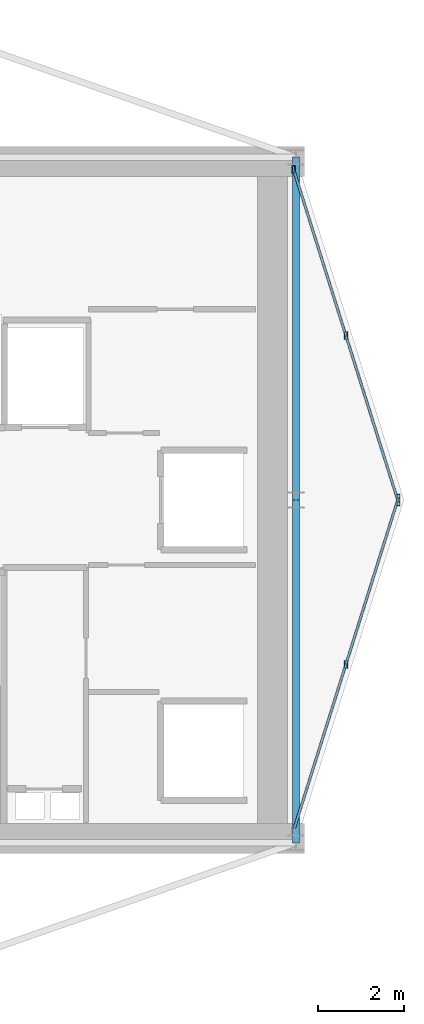
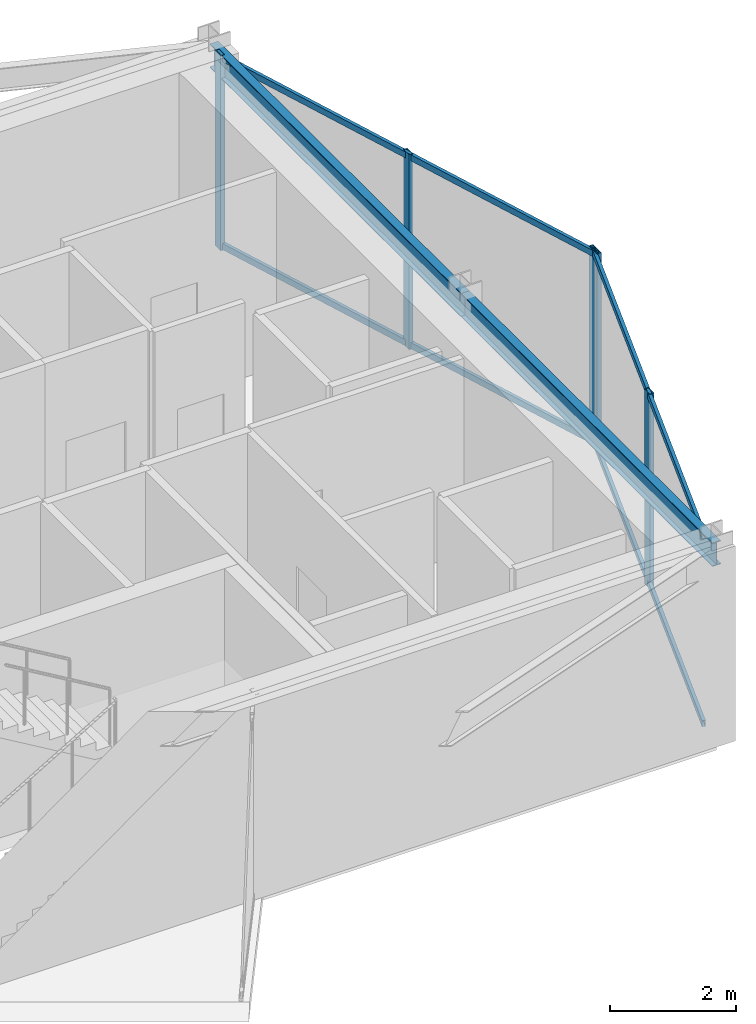
# One storey, part 15 of 22: 9 members, 2 beams, 2 elements without a shape of their own.
"""IFC4 building model written with IfcOpenShell, lengths in metres."""

from ifc_helpers import new_model, si_unit, direction, frame, origin, origin_2d, place, context, subcontext, project, spatial, hollow_rectangle, i_section, extrude, material, layer, layer_set, material_profile, profile_set, type_object, element, aggregate, save


model = new_model("IFC4")

# Units and contexts
model_context = context("Model", 3, precision=1e-05, world=origin(), true_north=direction((0.0, 1.0)))
body_context = subcontext(model_context, "Body", "Model", "MODEL_VIEW")
ifc_project = project(units=[si_unit("LENGTHUNIT", "METRE"), si_unit("AREAUNIT", "SQUARE_METRE"), si_unit("VOLUMEUNIT", "CUBIC_METRE"), si_unit("PLANEANGLEUNIT", "RADIAN"), si_unit("MASSUNIT", "GRAM", prefix="KILO")], contexts=[model_context])

# Site, building, storey
site_placement = place(None, origin())
site = spatial("IfcSite", under=ifc_project, at=site_placement, CompositionType="ELEMENT")
building_placement = place(site_placement, origin())
building = spatial("IfcBuilding", under=site, at=building_placement, Name="Veymaron Broadcast Tower", CompositionType="ELEMENT")
storey_placement = place(building_placement, frame((0.0, 0.0, 208.050048828125)))
storey = spatial("IfcBuildingStorey", under=building, at=storey_placement, Name="L48", CompositionType="ELEMENT", Elevation=208.050048828125)

# Beams
ifc_material_1 = material(Name="Structural steel ASTM A992 Gr 50", Category="steel")
ifc_material_profile_1 = material_profile(ifc_material_1, i_section(OverallWidth=0.154052734375, OverallDepth=0.458984375, WebThickness=0.009033203125, FlangeThickness=0.015380859375, at=origin_2d()), Name="W460X68")
ifc_profile_set_1 = profile_set([ifc_material_profile_1], Name="Structural steel ASTM A992 Gr 50")
beam_type = type_object("IfcBeamType", Name="BM-SP2", PredefinedType="SPANDREL", material=ifc_profile_set_1)
for number, where, z_axis, x_axis, name in (
    (1, (54.60009765625, 16.0, 3.560546875), (0.0, 1.0, 0.0), (-1.0, 0.0, 0.0), "L48 primary structural floor girder"),
    (2, (54.60009765625, 24.0, 3.560546875), (0.0, 1.0, 0.0), (-1.0, 0.0, 0.0), "L48 primary structural floor girder"),
):
    element("IfcBeam", number, at=place(storey_placement, frame(where, z_axis=z_axis, x_axis=x_axis)), inside=storey, type_object=beam_type, Name=name, PredefinedType="SPANDREL", context=body_context, shape_type="SweptSolid", body=[
        extrude(i_section(OverallWidth=0.154052734375, OverallDepth=0.458984375, WebThickness=0.009033203125, FlangeThickness=0.015380859375, at=origin_2d()), origin(), (0.0, 0.0, 1.0), 8.0),
    ])

# Curtain wall, members
ifc_material_2 = material(Name="Anodised aluminium AA 6063-T6 and laminated low-E dark glass", Category="aluminium")
ifc_layer = layer(ifc_material_2, 0.179931640625)
ifc_layer_set = layer_set([ifc_layer], Name="Anodised aluminium AA 6063-T6 and laminated low-E dark glass")
curtain_wall_type = type_object("IfcCurtainWallType", Name="CW-SYS-05", PredefinedType="NOTDEFINED", material=ifc_layer_set)
curtain_wall_1_placement = place(storey_placement, origin())
curtain_wall_1 = element("IfcCurtainWall", 3, at=curtain_wall_1_placement, inside=storey, type_object=curtain_wall_type, Name="L48 dark-glass curtain wall CW-L48-E2-1", PredefinedType="NOTDEFINED")
ifc_material_3 = material(Name="Anodised aluminium AA 6063-T6", Category="aluminium")
ifc_material_profile_2 = material_profile(ifc_material_3, hollow_rectangle(XDim=0.074951171875, YDim=0.179931640625, WallThickness=0.0048828125, at=origin_2d()), Name="AL180X75X5")
ifc_profile_set_2 = profile_set([ifc_material_profile_2], Name="Anodised aluminium AA 6063-T6")
member_type_1 = type_object("IfcMemberType", Name="CW-MUL-02", PredefinedType="MULLION", material=ifc_profile_set_2)
member_1_placement = place(storey_placement, frame((55.764892578125, 20.164306640625, 0.0), z_axis=(0.0, 0.0, 1.0), x_axis=(1.0, 0.0, 0.0)))
member_1 = element("IfcMember", 4, at=member_1_placement, type_object=member_type_1, Name="CW-L48-E2-1 mullion 1", PredefinedType="MULLION", context=body_context, shape_type="SweptSolid", body=[
    extrude(hollow_rectangle(XDim=0.074951171875, YDim=0.179931640625, WallThickness=0.0048828125, at=origin_2d()), origin(), (0.0, 0.0, 1.0), 3.7900390625),
])
member_2_placement = place(storey_placement, frame((56.986572265625, 24.0419921875, 0.0), z_axis=(0.0, 0.0, 1.0), x_axis=(1.0, 0.0, 0.0)))
member_2 = element("IfcMember", 5, at=member_2_placement, type_object=member_type_1, Name="CW-L48-E2-1 mullion 2", PredefinedType="MULLION", context=body_context, shape_type="SweptSolid", body=[
    extrude(hollow_rectangle(XDim=0.074951171875, YDim=0.179931640625, WallThickness=0.0048828125, at=origin_2d()), origin(), (0.0, 0.0, 1.0), 3.7900390625),
])

curtain_wall_2_placement = place(storey_placement, origin())
curtain_wall_2 = element("IfcCurtainWall", 6, at=curtain_wall_2_placement, inside=storey, type_object=curtain_wall_type, Name="L48 dark-glass curtain wall CW-L48-E3-1", PredefinedType="NOTDEFINED")
member_3_placement = place(storey_placement, frame((56.986572265625, 23.9580078125, 0.0), z_axis=(0.0, 0.0, 1.0), x_axis=(1.0, 0.0, 0.0)))
member_3 = element("IfcMember", 7, at=member_3_placement, type_object=member_type_1, Name="CW-L48-E3-1 mullion 0", PredefinedType="MULLION", context=body_context, shape_type="SweptSolid", body=[
    extrude(hollow_rectangle(XDim=0.074951171875, YDim=0.179931640625, WallThickness=0.0048828125, at=origin_2d()), origin(), (0.0, 0.0, 1.0), 3.7900390625),
])
member_4_placement = place(storey_placement, frame((55.764892578125, 27.835693359375, 0.0), z_axis=(0.0, 0.0, 1.0), x_axis=(1.0, 0.0, 0.0)))
member_4 = element("IfcMember", 8, at=member_4_placement, type_object=member_type_1, Name="CW-L48-E3-1 mullion 1", PredefinedType="MULLION", context=body_context, shape_type="SweptSolid", body=[
    extrude(hollow_rectangle(XDim=0.074951171875, YDim=0.179931640625, WallThickness=0.0048828125, at=origin_2d()), origin(), (0.0, 0.0, 1.0), 3.7900390625),
])
member_5_placement = place(storey_placement, frame((54.54345703125, 31.713623046875, 0.0), z_axis=(0.0, 0.0, 1.0), x_axis=(1.0, 0.0, 0.0)))
member_5 = element("IfcMember", 9, at=member_5_placement, type_object=member_type_1, Name="CW-L48-E3-1 mullion 2", PredefinedType="MULLION", context=body_context, shape_type="SweptSolid", body=[
    extrude(hollow_rectangle(XDim=0.074951171875, YDim=0.179931640625, WallThickness=0.0048828125, at=origin_2d()), origin(), (0.0, 0.0, 1.0), 3.7900390625),
])

# Member
ifc_material_profile_3 = material_profile(ifc_material_3, hollow_rectangle(XDim=0.06005859375, YDim=0.1201171875, WallThickness=0.00390625, at=origin_2d()), Name="AL120X60X4")
ifc_profile_set_3 = profile_set([ifc_material_profile_3], Name="Anodised aluminium AA 6063-T6")
member_type_2 = type_object("IfcMemberType", Name="CW-TRN-02", PredefinedType="USERDEFINED", material=ifc_profile_set_3)
member_6_placement = place(storey_placement, frame((54.558349609375, 16.333984375, 0.070068359375), z_axis=(0.300453348613, 0.953796511478, 0.0), x_axis=(-0.953796511478, 0.300453348613, 0.0)))
member_6 = element("IfcMember", 10, at=member_6_placement, type_object=member_type_2, Name="CW-L48-E2-1 transom B", ObjectType="TRANSOM", PredefinedType="USERDEFINED", context=body_context, shape_type="SweptSolid", body=[
    extrude(hollow_rectangle(XDim=0.06005859375, YDim=0.1201171875, WallThickness=0.00390625, at=origin_2d()), origin(), (0.0, 0.0, 1.0), 8.031494140625),
])

member_7_placement = place(storey_placement, frame((54.558349609375, 16.333984375, 3.719970703125), z_axis=(0.300453348613, 0.953796511478, 0.0), x_axis=(-0.953796511478, 0.300453348613, 0.0)))
member_7 = element("IfcMember", 11, at=member_7_placement, type_object=member_type_2, Name="CW-L48-E2-1 transom T", ObjectType="TRANSOM", PredefinedType="USERDEFINED", context=body_context, shape_type="SweptSolid", body=[
    extrude(hollow_rectangle(XDim=0.06005859375, YDim=0.1201171875, WallThickness=0.00390625, at=origin_2d()), origin(), (0.0, 0.0, 1.0), 8.031494140625),
])

aggregate(curtain_wall_1, [member_1, member_2, member_6, member_7])

member_8_placement = place(storey_placement, frame((56.971435546875, 24.005615234375, 0.070068359375), z_axis=(-0.300453348613, 0.953796511478, 0.0), x_axis=(-0.953796511478, -0.300453348613, 0.0)))
member_8 = element("IfcMember", 12, at=member_8_placement, type_object=member_type_2, Name="CW-L48-E3-1 transom B", ObjectType="TRANSOM", PredefinedType="USERDEFINED", context=body_context, shape_type="SweptSolid", body=[
    extrude(hollow_rectangle(XDim=0.06005859375, YDim=0.1201171875, WallThickness=0.00390625, at=origin_2d()), origin(), (0.0, 0.0, 1.0), 8.031494140625),
])

member_9_placement = place(storey_placement, frame((56.971435546875, 24.005615234375, 3.719970703125), z_axis=(-0.300453348613, 0.953796511478, 0.0), x_axis=(-0.953796511478, -0.300453348613, 0.0)))
member_9 = element("IfcMember", 13, at=member_9_placement, type_object=member_type_2, Name="CW-L48-E3-1 transom T", ObjectType="TRANSOM", PredefinedType="USERDEFINED", context=body_context, shape_type="SweptSolid", body=[
    extrude(hollow_rectangle(XDim=0.06005859375, YDim=0.1201171875, WallThickness=0.00390625, at=origin_2d()), origin(), (0.0, 0.0, 1.0), 8.031494140625),
])

aggregate(curtain_wall_2, [member_3, member_4, member_5, member_8, member_9])

save(model, "model.ifc")
